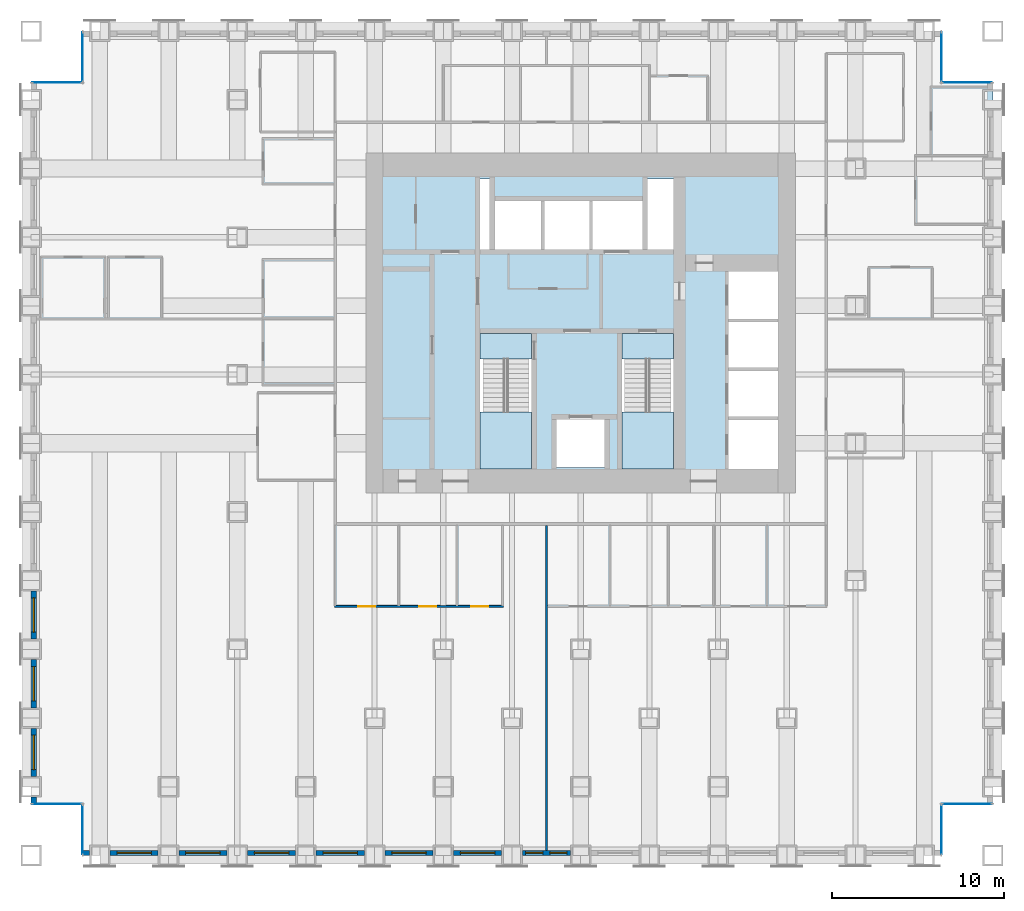
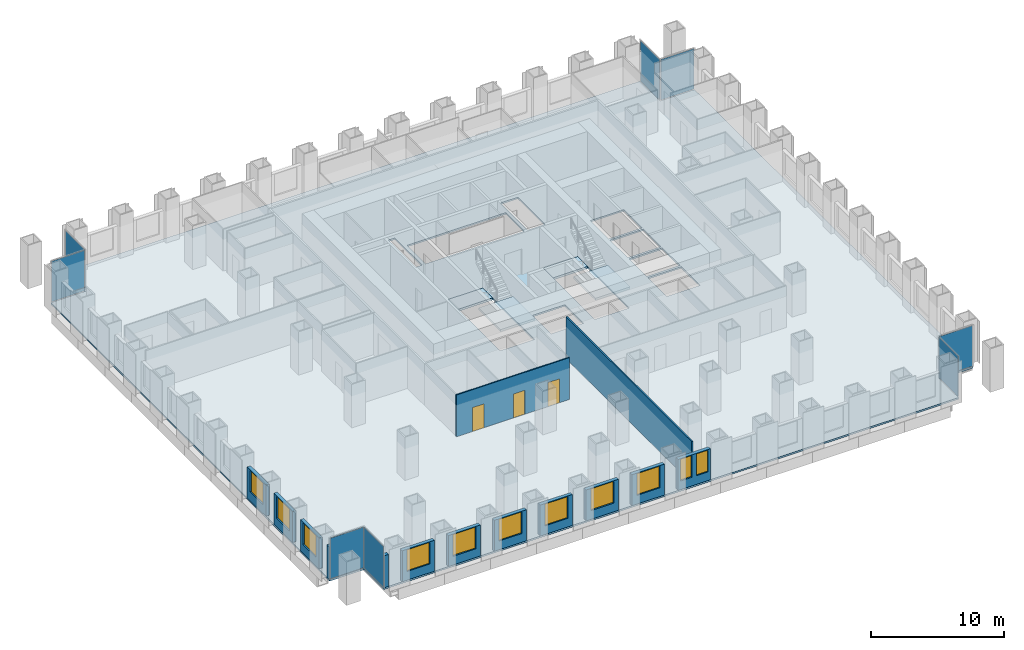
# One storey, part 8 of 15: 14 walls, 11 windows, 8 plates, 5 slabs, 3 doors, 14 openings, 10 elements without a shape of their own.
"""IFC4 building model written with IfcOpenShell, lengths in metres."""

from ifc_helpers import new_model, si_unit, direction, frame, frame_2d, origin, origin_2d, place, context, subcontext, project, spatial, polyline, rectangle, outline, extrude, material, layer, layer_set, type_object, element, fill, aggregate, save


model = new_model("IFC4")

# Units and contexts
model_context = context("Model", 3, precision=1e-05, world=origin(), true_north=direction((0.0, 1.0)))
body_context = subcontext(model_context, "Body", "Model", "MODEL_VIEW")
ifc_project = project(units=[si_unit("LENGTHUNIT", "METRE"), si_unit("AREAUNIT", "SQUARE_METRE"), si_unit("VOLUMEUNIT", "CUBIC_METRE"), si_unit("PLANEANGLEUNIT", "RADIAN"), si_unit("MASSUNIT", "GRAM", prefix="KILO")], contexts=[model_context])

# Site, building, storey
site_placement = place(None, origin())
site = spatial("IfcSite", under=ifc_project, at=site_placement, CompositionType="ELEMENT")
building_placement = place(site_placement, origin())
building = spatial("IfcBuilding", under=site, at=building_placement, Name="Rimbunsela Tower", CompositionType="ELEMENT")
storey_placement = place(building_placement, frame((0.0, 0.0, 23.0)))
storey = spatial("IfcBuildingStorey", under=building, at=storey_placement, Name="L05", CompositionType="ELEMENT", Elevation=23.0)

# Slab
ifc_material_1 = material(Name="Concrete fc' 35 MPa", Category="concrete")
ifc_layer_1 = layer(ifc_material_1, 0.14990234375)
ifc_layer_set_1 = layer_set([ifc_layer_1], Name="Floor slab 150")
slab_type_1 = type_object("IfcSlabType", Name="Floor slab 150", PredefinedType="FLOOR", material=ifc_layer_set_1)
slab_1_placement = place(storey_placement, frame((0.0, 0.0, -0.14990234375)))
element("IfcSlab", 1, at=slab_1_placement, inside=storey, type_object=slab_type_1, Name="Floor slab L05", PredefinedType="FLOOR", context=body_context, shape_type="SweptSolid", body=[
    extrude(outline(polyline([(1.0, -4.0), (51.0, -4.0), (51.0, -1.0), (54.0, -1.0), (54.0, 41.0), (51.0, 41.0), (51.0, 44.0), (1.0, 44.0), (1.0, 41.0), (-2.0, 41.0), (-2.0, -1.0), (1.0, -1.0), (1.0, -4.0)]), holes=[polyline([(27.14990234375, 18.60009765625), (27.14990234375, 26.39990234375), (24.14990234375, 26.39990234375), (24.14990234375, 18.60009765625), (27.14990234375, 18.60009765625)]), polyline([(24.699951171875, 31.300048828125), (24.699951171875, 35.39990234375), (24.14990234375, 35.39990234375), (24.14990234375, 31.300048828125), (24.699951171875, 31.300048828125)]), polyline([(25.0, 34.10009765625), (25.0, 31.300048828125), (33.60009765625, 31.300048828125), (33.60009765625, 34.10009765625), (25.0, 34.10009765625)]), polyline([(31.39990234375, 21.39990234375), (28.60009765625, 21.39990234375), (28.60009765625, 18.60009765625), (31.39990234375, 18.60009765625), (31.39990234375, 21.39990234375)]), polyline([(35.39990234375, 18.60009765625), (35.39990234375, 26.39990234375), (32.39990234375, 26.39990234375), (32.39990234375, 18.60009765625), (35.39990234375, 18.60009765625)]), polyline([(35.39990234375, 31.300048828125), (35.39990234375, 35.39990234375), (33.89990234375, 35.39990234375), (33.89990234375, 31.300048828125), (35.39990234375, 31.300048828125)]), polyline([(41.5, 21.35009765625), (38.60009765625, 21.35009765625), (38.60009765625, 18.5), (41.5, 18.5), (41.5, 21.35009765625)]), polyline([(41.5, 21.550048828125), (41.5, 24.199951171875), (38.60009765625, 24.199951171875), (38.60009765625, 21.550048828125), (41.5, 21.550048828125)]), polyline([(41.5, 27.050048828125), (38.60009765625, 27.050048828125), (38.60009765625, 24.39990234375), (41.5, 24.39990234375), (41.5, 27.050048828125)]), polyline([(41.5, 27.25), (41.5, 30.0), (38.60009765625, 30.0), (38.60009765625, 27.25), (41.5, 27.25)])]), origin(), (0.0, 0.0, 1.0), 0.14990234375),
])

# Curtain wall, plate
ifc_material_2 = material(Name="Aluminium curtain wall", Category="aluminium")
curtain_wall_type = type_object("IfcCurtainWallType", Name="Corner glazing", PredefinedType="USERDEFINED", material=ifc_material_2)
curtain_wall_1_placement = place(storey_placement, origin())
curtain_wall_1 = element("IfcCurtainWall", 2, at=curtain_wall_1_placement, inside=storey, type_object=curtain_wall_type, Name="Corner glazing L05", ObjectType="CORNER GLAZING", PredefinedType="USERDEFINED")
ifc_material_3 = material(Name="Clear double glazing", Category="glass")
ifc_layer_2 = layer(ifc_material_3, 0.028076171875)
ifc_layer_set_2 = layer_set([ifc_layer_2], Name="Glazed panel clear")
plate_type = type_object("IfcPlateType", Name="Glazed panel clear", PredefinedType="CURTAIN_PANEL", material=ifc_layer_set_2)
plate_1_placement = place(storey_placement, frame((51.0, -2.5, 0.06005859375), z_axis=(0.0, 0.0, 1.0), x_axis=(0.0, 1.0, 0.0)))
plate_1 = element("IfcPlate", 3, at=plate_1_placement, type_object=plate_type, Name="CW5 panel 1.1", PredefinedType="CURTAIN_PANEL", context=body_context, shape_type="SweptSolid", body=[
    extrude(rectangle(XDim=2.8798828125, YDim=0.028076171875, at=origin_2d()), origin(), (0.0, 0.0, 1.0), 3.72998046875),
])
aggregate(curtain_wall_1, [plate_1])

curtain_wall_2_placement = place(storey_placement, origin())
curtain_wall_2 = element("IfcCurtainWall", 4, at=curtain_wall_2_placement, inside=storey, type_object=curtain_wall_type, Name="Corner glazing L05", ObjectType="CORNER GLAZING", PredefinedType="USERDEFINED")
plate_2_placement = place(storey_placement, frame((52.5, -1.0, 0.06005859375), z_axis=(0.0, 0.0, 1.0), x_axis=(1.0, 0.0, 0.0)))
plate_2 = element("IfcPlate", 5, at=plate_2_placement, type_object=plate_type, Name="CW5 panel 1.1", PredefinedType="CURTAIN_PANEL", context=body_context, shape_type="SweptSolid", body=[
    extrude(rectangle(XDim=2.8798828125, YDim=0.028076171875, at=origin_2d()), origin(), (0.0, 0.0, 1.0), 3.72998046875),
])
aggregate(curtain_wall_2, [plate_2])

curtain_wall_3_placement = place(storey_placement, origin())
curtain_wall_3 = element("IfcCurtainWall", 6, at=curtain_wall_3_placement, inside=storey, type_object=curtain_wall_type, Name="Corner glazing L05", ObjectType="CORNER GLAZING", PredefinedType="USERDEFINED")
plate_3_placement = place(storey_placement, frame((52.5, 41.0, 0.06005859375), z_axis=(0.0, 0.0, 1.0), x_axis=(-1.0, 0.0, 0.0)))
plate_3 = element("IfcPlate", 7, at=plate_3_placement, type_object=plate_type, Name="CW5 panel 1.1", PredefinedType="CURTAIN_PANEL", context=body_context, shape_type="SweptSolid", body=[
    extrude(rectangle(XDim=2.8798828125, YDim=0.028076171875, at=origin_2d()), origin(), (0.0, 0.0, 1.0), 3.72998046875),
])
aggregate(curtain_wall_3, [plate_3])

curtain_wall_4_placement = place(storey_placement, origin())
curtain_wall_4 = element("IfcCurtainWall", 8, at=curtain_wall_4_placement, inside=storey, type_object=curtain_wall_type, Name="Corner glazing L05", ObjectType="CORNER GLAZING", PredefinedType="USERDEFINED")
plate_4_placement = place(storey_placement, frame((51.0, 42.5, 0.06005859375), z_axis=(0.0, 0.0, 1.0), x_axis=(0.0, 1.0, 0.0)))
plate_4 = element("IfcPlate", 9, at=plate_4_placement, type_object=plate_type, Name="CW5 panel 1.1", PredefinedType="CURTAIN_PANEL", context=body_context, shape_type="SweptSolid", body=[
    extrude(rectangle(XDim=2.8798828125, YDim=0.028076171875, at=origin_2d()), origin(), (0.0, 0.0, 1.0), 3.72998046875),
])
aggregate(curtain_wall_4, [plate_4])

curtain_wall_5_placement = place(storey_placement, origin())
curtain_wall_5 = element("IfcCurtainWall", 10, at=curtain_wall_5_placement, inside=storey, type_object=curtain_wall_type, Name="Corner glazing L05", ObjectType="CORNER GLAZING", PredefinedType="USERDEFINED")
plate_5_placement = place(storey_placement, frame((1.0, 42.5, 0.06005859375), z_axis=(0.0, 0.0, 1.0), x_axis=(0.0, -1.0, 0.0)))
plate_5 = element("IfcPlate", 11, at=plate_5_placement, type_object=plate_type, Name="CW5 panel 1.1", PredefinedType="CURTAIN_PANEL", context=body_context, shape_type="SweptSolid", body=[
    extrude(rectangle(XDim=2.8798828125, YDim=0.028076171875, at=origin_2d()), origin(), (0.0, 0.0, 1.0), 3.72998046875),
])
aggregate(curtain_wall_5, [plate_5])

curtain_wall_6_placement = place(storey_placement, origin())
curtain_wall_6 = element("IfcCurtainWall", 12, at=curtain_wall_6_placement, inside=storey, type_object=curtain_wall_type, Name="Corner glazing L05", ObjectType="CORNER GLAZING", PredefinedType="USERDEFINED")
plate_6_placement = place(storey_placement, frame((-0.5, 41.0, 0.06005859375), z_axis=(0.0, 0.0, 1.0), x_axis=(-1.0, 0.0, 0.0)))
plate_6 = element("IfcPlate", 13, at=plate_6_placement, type_object=plate_type, Name="CW5 panel 1.1", PredefinedType="CURTAIN_PANEL", context=body_context, shape_type="SweptSolid", body=[
    extrude(rectangle(XDim=2.8798828125, YDim=0.028076171875, at=origin_2d()), origin(), (0.0, 0.0, 1.0), 3.72998046875),
])
aggregate(curtain_wall_6, [plate_6])

curtain_wall_7_placement = place(storey_placement, origin())
curtain_wall_7 = element("IfcCurtainWall", 14, at=curtain_wall_7_placement, inside=storey, type_object=curtain_wall_type, Name="Corner glazing L05", ObjectType="CORNER GLAZING", PredefinedType="USERDEFINED")
plate_7_placement = place(storey_placement, frame((-0.5, -1.0, 0.06005859375), z_axis=(0.0, 0.0, 1.0), x_axis=(1.0, 0.0, 0.0)))
plate_7 = element("IfcPlate", 15, at=plate_7_placement, type_object=plate_type, Name="CW5 panel 1.1", PredefinedType="CURTAIN_PANEL", context=body_context, shape_type="SweptSolid", body=[
    extrude(rectangle(XDim=2.8798828125, YDim=0.028076171875, at=origin_2d()), origin(), (0.0, 0.0, 1.0), 3.72998046875),
])
aggregate(curtain_wall_7, [plate_7])

curtain_wall_8_placement = place(storey_placement, origin())
curtain_wall_8 = element("IfcCurtainWall", 16, at=curtain_wall_8_placement, inside=storey, type_object=curtain_wall_type, Name="Corner glazing L05", ObjectType="CORNER GLAZING", PredefinedType="USERDEFINED")
plate_8_placement = place(storey_placement, frame((1.0, -2.5, 0.06005859375), z_axis=(0.0, 0.0, 1.0), x_axis=(0.0, -1.0, 0.0)))
plate_8 = element("IfcPlate", 17, at=plate_8_placement, type_object=plate_type, Name="CW5 panel 1.1", PredefinedType="CURTAIN_PANEL", context=body_context, shape_type="SweptSolid", body=[
    extrude(rectangle(XDim=2.8798828125, YDim=0.028076171875, at=origin_2d()), origin(), (0.0, 0.0, 1.0), 3.72998046875),
])
aggregate(curtain_wall_8, [plate_8])

# Stair, slabs
ifc_material_4 = material(Name="Concrete fc' 35 MPa", Category="concrete")
stair_type = type_object("IfcStairType", Name="Exit stair 24 risers", PredefinedType="HALF_TURN_STAIR", material=ifc_material_4)
stair_1_placement = place(storey_placement, origin())
stair_1 = element("IfcStair", 18, at=stair_1_placement, inside=storey, type_object=stair_type, Name="Exit stair A L05", PredefinedType="HALF_TURN_STAIR")
ifc_material_5 = material(Name="Concrete fc' 35 MPa", Category="concrete")
ifc_layer_3 = layer(ifc_material_5, 0.199951171875)
ifc_layer_set_3 = layer_set([ifc_layer_3], Name="Stair landing 200")
slab_type_2 = type_object("IfcSlabType", Name="Stair landing 200", PredefinedType="LANDING", material=ifc_layer_set_3)
slab_2_placement = place(storey_placement, frame((0.0, 0.0, -0.199951171875)))
slab_2 = element("IfcSlab", 19, at=slab_2_placement, type_object=slab_type_2, Name="ST-A landing 1", PredefinedType="LANDING", context=body_context, shape_type="SweptSolid", body=[
    extrude(outline(polyline([(24.14990234375, 24.89990234375), (27.14990234375, 24.89990234375), (27.14990234375, 26.39990234375), (24.14990234375, 26.39990234375), (24.14990234375, 24.89990234375)])), origin(), (0.0, 0.0, 1.0), 0.199951171875),
])
slab_3_placement = place(storey_placement, frame((0.0, 0.0, 1.800048828125)))
slab_3 = element("IfcSlab", 20, at=slab_3_placement, type_object=slab_type_2, Name="ST-A landing 2", PredefinedType="LANDING", context=body_context, shape_type="SweptSolid", body=[
    extrude(outline(polyline([(24.14990234375, 18.5), (27.14990234375, 18.5), (27.14990234375, 21.820068359375), (24.14990234375, 21.820068359375), (24.14990234375, 18.5)])), origin(), (0.0, 0.0, 1.0), 0.199951171875),
])
aggregate(stair_1, [slab_2, slab_3])

stair_2_placement = place(storey_placement, origin())
stair_2 = element("IfcStair", 21, at=stair_2_placement, inside=storey, type_object=stair_type, Name="Exit stair B L05", PredefinedType="HALF_TURN_STAIR")
slab_4_placement = place(storey_placement, frame((0.0, 0.0, -0.199951171875)))
slab_4 = element("IfcSlab", 22, at=slab_4_placement, type_object=slab_type_2, Name="ST-B landing 1", PredefinedType="LANDING", context=body_context, shape_type="SweptSolid", body=[
    extrude(outline(polyline([(32.39990234375, 24.89990234375), (35.39990234375, 24.89990234375), (35.39990234375, 26.39990234375), (32.39990234375, 26.39990234375), (32.39990234375, 24.89990234375)])), origin(), (0.0, 0.0, 1.0), 0.199951171875),
])
slab_5_placement = place(storey_placement, frame((0.0, 0.0, 1.800048828125)))
slab_5 = element("IfcSlab", 23, at=slab_5_placement, type_object=slab_type_2, Name="ST-B landing 2", PredefinedType="LANDING", context=body_context, shape_type="SweptSolid", body=[
    extrude(outline(polyline([(32.39990234375, 18.5), (35.39990234375, 18.5), (35.39990234375, 21.820068359375), (32.39990234375, 21.820068359375), (32.39990234375, 18.5)])), origin(), (0.0, 0.0, 1.0), 0.199951171875),
])
aggregate(stair_2, [slab_4, slab_5])

# Wall, openings, doors
ifc_material_6 = material(Name="Gypsum board on steel studs", Category="steel")
ifc_layer_4 = layer(ifc_material_6, 0.10009765625)
ifc_layer_set_4 = layer_set([ifc_layer_4], Name="Office partition 100")
wall_type_1 = type_object("IfcWallType", Name="Office partition 100", PredefinedType="PARTITIONING", material=ifc_layer_set_4)
wall_1_placement = place(storey_placement, frame((15.64990234375, 10.5, 0.0), z_axis=(0.0, 0.0, 1.0), x_axis=(1.0, 0.0, 0.0)))
wall_1 = element("IfcWall", 24, at=wall_1_placement, inside=storey, type_object=wall_type_1, Name="Office partition", PredefinedType="PARTITIONING", context=body_context, shape_type="SweptSolid", body=[
    extrude(rectangle(XDim=9.85009765625, YDim=0.10009765625, at=frame_2d((4.925048828125, 0.0))), origin(), (0.0, 0.0, 1.0), 3.85009765625),
])
opening_1_placement = place(wall_1_placement, frame((1.39990234375, 0.0, 0.0)))
opening_1 = element("IfcOpeningElement", 25, at=opening_1_placement, cuts=wall_1, Name="Opening D17", PredefinedType="OPENING", context=body_context, shape_type="SweptSolid", body=[
    extrude(rectangle(XDim=1.0, YDim=2.199951171875, at=frame_2d((0.5, 1.10009765625))), frame((0.0, 0.06005859375, 0.0), z_axis=(0.0, -1.0, 0.0), x_axis=(1.0, 0.0, 0.0)), (0.0, 0.0, 1.0), 0.1201171875),
])
opening_2_placement = place(wall_1_placement, frame((4.949951171875, 0.0, 0.0)))
opening_2 = element("IfcOpeningElement", 26, at=opening_2_placement, cuts=wall_1, Name="Opening D16", PredefinedType="OPENING", context=body_context, shape_type="SweptSolid", body=[
    extrude(rectangle(XDim=1.0, YDim=2.199951171875, at=frame_2d((0.5, 1.10009765625))), frame((0.0, 0.06005859375, 0.0), z_axis=(0.0, -1.0, 0.0), x_axis=(1.0, 0.0, 0.0)), (0.0, 0.0, 1.0), 0.1201171875),
])
opening_3_placement = place(wall_1_placement, frame((7.97509765625, 0.0, 0.0)))
opening_3 = element("IfcOpeningElement", 27, at=opening_3_placement, cuts=wall_1, Name="Opening D16", PredefinedType="OPENING", context=body_context, shape_type="SweptSolid", body=[
    extrude(rectangle(XDim=1.0, YDim=2.199951171875, at=frame_2d((0.5, 1.10009765625))), frame((0.0, 0.06005859375, 0.0), z_axis=(0.0, -1.0, 0.0), x_axis=(1.0, 0.0, 0.0)), (0.0, 0.0, 1.0), 0.1201171875),
])
ifc_material_7 = material(Name="Glazed aluminium door", Category="aluminium")
door_type_1 = type_object("IfcDoorType", Name="Meeting room door 1000 glazed", OperationType="SINGLE_SWING_RIGHT", PredefinedType="DOOR", material=ifc_material_7)
door_1_placement = place(opening_1_placement, origin())
door_1 = element("IfcDoor", 28, at=door_1_placement, inside=storey, type_object=door_type_1, Name="Meeting room door", OperationType="SINGLE_SWING_RIGHT", OverallHeight=2.199951171875, OverallWidth=1.0, PredefinedType="DOOR", context=body_context, shape_type="SweptSolid", body=[
    extrude(rectangle(XDim=1.0, YDim=2.199951171875, at=frame_2d((0.5, 1.10009765625))), frame((0.0, 0.02490234375, 0.0), z_axis=(0.0, -1.0, 0.0), x_axis=(1.0, 0.0, 0.0)), (0.0, 0.0, 1.0), 0.050048828125),
])
fill(opening_1, door_1)
ifc_material_8 = material(Name="Timber door", Category="wood")
door_type_2 = type_object("IfcDoorType", Name="Office door 1000", OperationType="SINGLE_SWING_LEFT", PredefinedType="DOOR", material=ifc_material_8)
door_2_placement = place(opening_2_placement, origin())
door_2 = element("IfcDoor", 29, at=door_2_placement, inside=storey, type_object=door_type_2, Name="Office door", OperationType="SINGLE_SWING_LEFT", OverallHeight=2.199951171875, OverallWidth=1.0, PredefinedType="DOOR", context=body_context, shape_type="SweptSolid", body=[
    extrude(rectangle(XDim=1.0, YDim=2.199951171875, at=frame_2d((0.5, 1.10009765625))), frame((0.0, 0.02490234375, 0.0), z_axis=(0.0, -1.0, 0.0), x_axis=(1.0, 0.0, 0.0)), (0.0, 0.0, 1.0), 0.050048828125),
])
fill(opening_2, door_2)
door_3_placement = place(opening_3_placement, origin())
door_3 = element("IfcDoor", 30, at=door_3_placement, inside=storey, type_object=door_type_2, Name="Office door", OperationType="SINGLE_SWING_LEFT", OverallHeight=2.199951171875, OverallWidth=1.0, PredefinedType="DOOR", context=body_context, shape_type="SweptSolid", body=[
    extrude(rectangle(XDim=1.0, YDim=2.199951171875, at=frame_2d((0.5, 1.10009765625))), frame((0.0, 0.02490234375, 0.0), z_axis=(0.0, -1.0, 0.0), x_axis=(1.0, 0.0, 0.0)), (0.0, 0.0, 1.0), 0.050048828125),
])
fill(opening_3, door_3)

# Wall
ifc_material_9 = material(Name="Precast concrete fc' 35 MPa", Category="concrete")
ifc_layer_5 = layer(ifc_material_9, 0.300048828125)
ifc_layer_set_5 = layer_set([ifc_layer_5], Name="Precast concrete fc' 35 MPa")
wall_type_2 = type_object("IfcWallType", Name="Precast facade panel 300", PredefinedType="ELEMENTEDWALL", material=ifc_layer_set_5)
wall_2_placement = place(storey_placement, frame((1.030029296875, -3.85009765625, 0.0), z_axis=(0.0, 0.0, 1.0), x_axis=(1.0, 0.0, 0.0)))
element("IfcWall", 31, at=wall_2_placement, inside=storey, type_object=wall_type_2, Name="Facade panel S L05", PredefinedType="ELEMENTEDWALL", context=body_context, shape_type="SweptSolid", body=[
    extrude(rectangle(XDim=0.369873046875, YDim=0.300048828125, at=frame_2d((0.18505859375, 0.0))), origin(), (0.0, 0.0, 1.0), 2.949951171875),
])

# Wall, opening, window
wall_3_placement = place(storey_placement, frame((2.60009765625, -3.85009765625, 0.0), z_axis=(0.0, 0.0, 1.0), x_axis=(1.0, 0.0, 0.0)))
wall_3 = element("IfcWall", 32, at=wall_3_placement, inside=storey, type_object=wall_type_2, Name="Facade panel S L05", PredefinedType="ELEMENTEDWALL", context=body_context, shape_type="SweptSolid", body=[
    extrude(rectangle(XDim=2.7998046875, YDim=0.300048828125, at=frame_2d((1.39990234375, 0.0))), origin(), (0.0, 0.0, 1.0), 2.85009765625),
])
opening_4_placement = place(wall_3_placement, frame((0.39990234375, 0.0, 0.800048828125)))
opening_4 = element("IfcOpeningElement", 33, at=opening_4_placement, cuts=wall_3, Name="Opening W1", PredefinedType="OPENING", context=body_context, shape_type="SweptSolid", body=[
    extrude(rectangle(XDim=2.0, YDim=2.0, at=frame_2d((1.0, 1.0))), frame((0.0, 0.159912109375, 0.0), z_axis=(0.0, -1.0, 0.0), x_axis=(1.0, 0.0, 0.0)), (0.0, 0.0, 1.0), 0.320068359375),
])
ifc_material_10 = material(Name="Clear glass in aluminium frame", Category="aluminium")
window_type_1 = type_object("IfcWindowType", Name="Window W1 2000x2000", PartitioningType="DOUBLE_PANEL_VERTICAL", PredefinedType="WINDOW", material=ifc_material_10)
window_1_placement = place(opening_4_placement, origin())
window_1 = element("IfcWindow", 34, at=window_1_placement, inside=storey, type_object=window_type_1, Name="Window L05", OverallHeight=2.0, OverallWidth=2.0, PartitioningType="SINGLE_PANEL", PredefinedType="WINDOW", context=body_context, shape_type="SweptSolid", body=[
    extrude(rectangle(XDim=2.0, YDim=2.0, at=frame_2d((1.0, 1.0))), frame((0.0, 0.030029296875, 0.0), z_axis=(0.0, -1.0, 0.0), x_axis=(1.0, 0.0, 0.0)), (0.0, 0.0, 1.0), 0.06005859375),
])
fill(opening_4, window_1)

wall_4_placement = place(storey_placement, frame((6.60009765625, -3.85009765625, 0.0), z_axis=(0.0, 0.0, 1.0), x_axis=(1.0, 0.0, 0.0)))
wall_4 = element("IfcWall", 35, at=wall_4_placement, inside=storey, type_object=wall_type_2, Name="Facade panel S L05", PredefinedType="ELEMENTEDWALL", context=body_context, shape_type="SweptSolid", body=[
    extrude(rectangle(XDim=2.7998046875, YDim=0.300048828125, at=frame_2d((1.39990234375, 0.0))), origin(), (0.0, 0.0, 1.0), 2.85009765625),
])
opening_5_placement = place(wall_4_placement, frame((0.39990234375, 0.0, 0.800048828125)))
opening_5 = element("IfcOpeningElement", 36, at=opening_5_placement, cuts=wall_4, Name="Opening W1", PredefinedType="OPENING", context=body_context, shape_type="SweptSolid", body=[
    extrude(rectangle(XDim=2.0, YDim=2.0, at=frame_2d((1.0, 1.0))), frame((0.0, 0.159912109375, 0.0), z_axis=(0.0, -1.0, 0.0), x_axis=(1.0, 0.0, 0.0)), (0.0, 0.0, 1.0), 0.320068359375),
])
window_2_placement = place(opening_5_placement, origin())
window_2 = element("IfcWindow", 37, at=window_2_placement, inside=storey, type_object=window_type_1, Name="Window L05", OverallHeight=2.0, OverallWidth=2.0, PartitioningType="SINGLE_PANEL", PredefinedType="WINDOW", context=body_context, shape_type="SweptSolid", body=[
    extrude(rectangle(XDim=2.0, YDim=2.0, at=frame_2d((1.0, 1.0))), frame((0.0, 0.030029296875, 0.0), z_axis=(0.0, -1.0, 0.0), x_axis=(1.0, 0.0, 0.0)), (0.0, 0.0, 1.0), 0.06005859375),
])
fill(opening_5, window_2)

wall_5_placement = place(storey_placement, frame((10.60009765625, -3.85009765625, 0.0), z_axis=(0.0, 0.0, 1.0), x_axis=(1.0, 0.0, 0.0)))
wall_5 = element("IfcWall", 38, at=wall_5_placement, inside=storey, type_object=wall_type_2, Name="Facade panel S L05", PredefinedType="ELEMENTEDWALL", context=body_context, shape_type="SweptSolid", body=[
    extrude(rectangle(XDim=2.7998046875, YDim=0.300048828125, at=frame_2d((1.39990234375, 0.0))), origin(), (0.0, 0.0, 1.0), 2.85009765625),
])
opening_6_placement = place(wall_5_placement, frame((0.39990234375, 0.0, 0.800048828125)))
opening_6 = element("IfcOpeningElement", 39, at=opening_6_placement, cuts=wall_5, Name="Opening W1", PredefinedType="OPENING", context=body_context, shape_type="SweptSolid", body=[
    extrude(rectangle(XDim=2.0, YDim=2.0, at=frame_2d((1.0, 1.0))), frame((0.0, 0.159912109375, 0.0), z_axis=(0.0, -1.0, 0.0), x_axis=(1.0, 0.0, 0.0)), (0.0, 0.0, 1.0), 0.320068359375),
])
window_3_placement = place(opening_6_placement, origin())
window_3 = element("IfcWindow", 40, at=window_3_placement, inside=storey, type_object=window_type_1, Name="Window L05", OverallHeight=2.0, OverallWidth=2.0, PartitioningType="SINGLE_PANEL", PredefinedType="WINDOW", context=body_context, shape_type="SweptSolid", body=[
    extrude(rectangle(XDim=2.0, YDim=2.0, at=frame_2d((1.0, 1.0))), frame((0.0, 0.030029296875, 0.0), z_axis=(0.0, -1.0, 0.0), x_axis=(1.0, 0.0, 0.0)), (0.0, 0.0, 1.0), 0.06005859375),
])
fill(opening_6, window_3)

wall_6_placement = place(storey_placement, frame((14.60009765625, -3.85009765625, 0.0), z_axis=(0.0, 0.0, 1.0), x_axis=(1.0, 0.0, 0.0)))
wall_6 = element("IfcWall", 41, at=wall_6_placement, inside=storey, type_object=wall_type_2, Name="Facade panel S L05", PredefinedType="ELEMENTEDWALL", context=body_context, shape_type="SweptSolid", body=[
    extrude(rectangle(XDim=2.7998046875, YDim=0.300048828125, at=frame_2d((1.39990234375, 0.0))), origin(), (0.0, 0.0, 1.0), 2.85009765625),
])
opening_7_placement = place(wall_6_placement, frame((0.39990234375, 0.0, 0.800048828125)))
opening_7 = element("IfcOpeningElement", 42, at=opening_7_placement, cuts=wall_6, Name="Opening W1", PredefinedType="OPENING", context=body_context, shape_type="SweptSolid", body=[
    extrude(rectangle(XDim=2.0, YDim=2.0, at=frame_2d((1.0, 1.0))), frame((0.0, 0.159912109375, 0.0), z_axis=(0.0, -1.0, 0.0), x_axis=(1.0, 0.0, 0.0)), (0.0, 0.0, 1.0), 0.320068359375),
])
window_4_placement = place(opening_7_placement, origin())
window_4 = element("IfcWindow", 43, at=window_4_placement, inside=storey, type_object=window_type_1, Name="Window L05", OverallHeight=2.0, OverallWidth=2.0, PartitioningType="SINGLE_PANEL", PredefinedType="WINDOW", context=body_context, shape_type="SweptSolid", body=[
    extrude(rectangle(XDim=2.0, YDim=2.0, at=frame_2d((1.0, 1.0))), frame((0.0, 0.030029296875, 0.0), z_axis=(0.0, -1.0, 0.0), x_axis=(1.0, 0.0, 0.0)), (0.0, 0.0, 1.0), 0.06005859375),
])
fill(opening_7, window_4)

wall_7_placement = place(storey_placement, frame((18.60009765625, -3.85009765625, 0.0), z_axis=(0.0, 0.0, 1.0), x_axis=(1.0, 0.0, 0.0)))
wall_7 = element("IfcWall", 44, at=wall_7_placement, inside=storey, type_object=wall_type_2, Name="Facade panel S L05", PredefinedType="ELEMENTEDWALL", context=body_context, shape_type="SweptSolid", body=[
    extrude(rectangle(XDim=2.7998046875, YDim=0.300048828125, at=frame_2d((1.39990234375, 0.0))), origin(), (0.0, 0.0, 1.0), 2.85009765625),
])
opening_8_placement = place(wall_7_placement, frame((0.39990234375, 0.0, 0.800048828125)))
opening_8 = element("IfcOpeningElement", 45, at=opening_8_placement, cuts=wall_7, Name="Opening W1", PredefinedType="OPENING", context=body_context, shape_type="SweptSolid", body=[
    extrude(rectangle(XDim=2.0, YDim=2.0, at=frame_2d((1.0, 1.0))), frame((0.0, 0.159912109375, 0.0), z_axis=(0.0, -1.0, 0.0), x_axis=(1.0, 0.0, 0.0)), (0.0, 0.0, 1.0), 0.320068359375),
])
window_5_placement = place(opening_8_placement, origin())
window_5 = element("IfcWindow", 46, at=window_5_placement, inside=storey, type_object=window_type_1, Name="Window L05", OverallHeight=2.0, OverallWidth=2.0, PartitioningType="SINGLE_PANEL", PredefinedType="WINDOW", context=body_context, shape_type="SweptSolid", body=[
    extrude(rectangle(XDim=2.0, YDim=2.0, at=frame_2d((1.0, 1.0))), frame((0.0, 0.030029296875, 0.0), z_axis=(0.0, -1.0, 0.0), x_axis=(1.0, 0.0, 0.0)), (0.0, 0.0, 1.0), 0.06005859375),
])
fill(opening_8, window_5)

wall_8_placement = place(storey_placement, frame((22.60009765625, -3.85009765625, 0.0), z_axis=(0.0, 0.0, 1.0), x_axis=(1.0, 0.0, 0.0)))
wall_8 = element("IfcWall", 47, at=wall_8_placement, inside=storey, type_object=wall_type_2, Name="Facade panel S L05", PredefinedType="ELEMENTEDWALL", context=body_context, shape_type="SweptSolid", body=[
    extrude(rectangle(XDim=2.7998046875, YDim=0.300048828125, at=frame_2d((1.39990234375, 0.0))), origin(), (0.0, 0.0, 1.0), 2.85009765625),
])
opening_9_placement = place(wall_8_placement, frame((0.39990234375, 0.0, 0.800048828125)))
opening_9 = element("IfcOpeningElement", 48, at=opening_9_placement, cuts=wall_8, Name="Opening W1", PredefinedType="OPENING", context=body_context, shape_type="SweptSolid", body=[
    extrude(rectangle(XDim=2.0, YDim=2.0, at=frame_2d((1.0, 1.0))), frame((0.0, 0.159912109375, 0.0), z_axis=(0.0, -1.0, 0.0), x_axis=(1.0, 0.0, 0.0)), (0.0, 0.0, 1.0), 0.320068359375),
])
window_6_placement = place(opening_9_placement, origin())
window_6 = element("IfcWindow", 49, at=window_6_placement, inside=storey, type_object=window_type_1, Name="Window L05", OverallHeight=2.0, OverallWidth=2.0, PartitioningType="SINGLE_PANEL", PredefinedType="WINDOW", context=body_context, shape_type="SweptSolid", body=[
    extrude(rectangle(XDim=2.0, YDim=2.0, at=frame_2d((1.0, 1.0))), frame((0.0, 0.030029296875, 0.0), z_axis=(0.0, -1.0, 0.0), x_axis=(1.0, 0.0, 0.0)), (0.0, 0.0, 1.0), 0.06005859375),
])
fill(opening_9, window_6)

# Wall, openings, windows
wall_9_placement = place(storey_placement, frame((26.60009765625, -3.85009765625, 0.0), z_axis=(0.0, 0.0, 1.0), x_axis=(1.0, 0.0, 0.0)))
wall_9 = element("IfcWall", 50, at=wall_9_placement, inside=storey, type_object=wall_type_2, Name="Facade panel S L05", PredefinedType="ELEMENTEDWALL", context=body_context, shape_type="SweptSolid", body=[
    extrude(rectangle(XDim=2.7998046875, YDim=0.300048828125, at=frame_2d((1.39990234375, 0.0))), origin(), (0.0, 0.0, 1.0), 2.85009765625),
])
opening_10_placement = place(wall_9_placement, frame((0.199951171875, 0.0, 0.800048828125)))
opening_10 = element("IfcOpeningElement", 51, at=opening_10_placement, cuts=wall_9, Name="Opening W5", PredefinedType="OPENING", context=body_context, shape_type="SweptSolid", body=[
    extrude(rectangle(XDim=1.0, YDim=2.0, at=frame_2d((0.5, 1.0))), frame((0.0, 0.159912109375, 0.0), z_axis=(0.0, -1.0, 0.0), x_axis=(1.0, 0.0, 0.0)), (0.0, 0.0, 1.0), 0.320068359375),
])
opening_11_placement = place(wall_9_placement, frame((1.60009765625, 0.0, 0.800048828125)))
opening_11 = element("IfcOpeningElement", 52, at=opening_11_placement, cuts=wall_9, Name="Opening W5", PredefinedType="OPENING", context=body_context, shape_type="SweptSolid", body=[
    extrude(rectangle(XDim=1.0, YDim=2.0, at=frame_2d((0.5, 1.0))), frame((0.0, 0.159912109375, 0.0), z_axis=(0.0, -1.0, 0.0), x_axis=(1.0, 0.0, 0.0)), (0.0, 0.0, 1.0), 0.320068359375),
])
ifc_material_11 = material(Name="Clear glass in aluminium frame", Category="aluminium")
window_type_2 = type_object("IfcWindowType", Name="Window W5 1000x2000", PartitioningType="SINGLE_PANEL", PredefinedType="WINDOW", material=ifc_material_11)
window_7_placement = place(opening_10_placement, origin())
window_7 = element("IfcWindow", 53, at=window_7_placement, inside=storey, type_object=window_type_2, Name="Window L05", OverallHeight=2.0, OverallWidth=1.0, PartitioningType="SINGLE_PANEL", PredefinedType="WINDOW", context=body_context, shape_type="SweptSolid", body=[
    extrude(rectangle(XDim=1.0, YDim=2.0, at=frame_2d((0.5, 1.0))), frame((0.0, 0.030029296875, 0.0), z_axis=(0.0, -1.0, 0.0), x_axis=(1.0, 0.0, 0.0)), (0.0, 0.0, 1.0), 0.06005859375),
])
fill(opening_10, window_7)
window_8_placement = place(opening_11_placement, origin())
window_8 = element("IfcWindow", 54, at=window_8_placement, inside=storey, type_object=window_type_2, Name="Window L05", OverallHeight=2.0, OverallWidth=1.0, PartitioningType="SINGLE_PANEL", PredefinedType="WINDOW", context=body_context, shape_type="SweptSolid", body=[
    extrude(rectangle(XDim=1.0, YDim=2.0, at=frame_2d((0.5, 1.0))), frame((0.0, 0.030029296875, 0.0), z_axis=(0.0, -1.0, 0.0), x_axis=(1.0, 0.0, 0.0)), (0.0, 0.0, 1.0), 0.06005859375),
])
fill(opening_11, window_8)

# Wall
wall_10_placement = place(storey_placement, frame((-1.85009765625, -0.60009765625, 0.0), z_axis=(0.0, 0.0, 1.0), x_axis=(0.0, -1.0, 0.0)))
element("IfcWall", 55, at=wall_10_placement, inside=storey, type_object=wall_type_2, Name="Facade panel W L05", PredefinedType="ELEMENTEDWALL", context=body_context, shape_type="SweptSolid", body=[
    extrude(rectangle(XDim=0.369873046875, YDim=0.300048828125, at=frame_2d((0.18505859375, 0.0))), origin(), (0.0, 0.0, 1.0), 2.949951171875),
])

# Wall, opening, window
wall_11_placement = place(storey_placement, frame((-1.85009765625, 3.39990234375, 0.0), z_axis=(0.0, 0.0, 1.0), x_axis=(0.0, -1.0, 0.0)))
wall_11 = element("IfcWall", 56, at=wall_11_placement, inside=storey, type_object=wall_type_2, Name="Facade panel W L05", PredefinedType="ELEMENTEDWALL", context=body_context, shape_type="SweptSolid", body=[
    extrude(rectangle(XDim=2.7998046875, YDim=0.300048828125, at=frame_2d((1.39990234375, 0.0))), origin(), (0.0, 0.0, 1.0), 2.85009765625),
])
opening_12_placement = place(wall_11_placement, frame((0.39990234375, 0.0, 0.800048828125)))
opening_12 = element("IfcOpeningElement", 57, at=opening_12_placement, cuts=wall_11, Name="Opening W1", PredefinedType="OPENING", context=body_context, shape_type="SweptSolid", body=[
    extrude(rectangle(XDim=2.0, YDim=2.0, at=frame_2d((1.0, 1.0))), frame((0.0, 0.159912109375, 0.0), z_axis=(0.0, -1.0, 0.0), x_axis=(1.0, 0.0, 0.0)), (0.0, 0.0, 1.0), 0.320068359375),
])
window_9_placement = place(opening_12_placement, origin())
window_9 = element("IfcWindow", 58, at=window_9_placement, inside=storey, type_object=window_type_1, Name="Window L05", OverallHeight=2.0, OverallWidth=2.0, PartitioningType="SINGLE_PANEL", PredefinedType="WINDOW", context=body_context, shape_type="SweptSolid", body=[
    extrude(rectangle(XDim=2.0, YDim=2.0, at=frame_2d((1.0, 1.0))), frame((0.0, 0.030029296875, 0.0), z_axis=(0.0, -1.0, 0.0), x_axis=(1.0, 0.0, 0.0)), (0.0, 0.0, 1.0), 0.06005859375),
])
fill(opening_12, window_9)

wall_12_placement = place(storey_placement, frame((-1.85009765625, 7.39990234375, 0.0), z_axis=(0.0, 0.0, 1.0), x_axis=(0.0, -1.0, 0.0)))
wall_12 = element("IfcWall", 59, at=wall_12_placement, inside=storey, type_object=wall_type_2, Name="Facade panel W L05", PredefinedType="ELEMENTEDWALL", context=body_context, shape_type="SweptSolid", body=[
    extrude(rectangle(XDim=2.7998046875, YDim=0.300048828125, at=frame_2d((1.39990234375, 0.0))), origin(), (0.0, 0.0, 1.0), 2.85009765625),
])
opening_13_placement = place(wall_12_placement, frame((0.39990234375, 0.0, 0.800048828125)))
opening_13 = element("IfcOpeningElement", 60, at=opening_13_placement, cuts=wall_12, Name="Opening W1", PredefinedType="OPENING", context=body_context, shape_type="SweptSolid", body=[
    extrude(rectangle(XDim=2.0, YDim=2.0, at=frame_2d((1.0, 1.0))), frame((0.0, 0.159912109375, 0.0), z_axis=(0.0, -1.0, 0.0), x_axis=(1.0, 0.0, 0.0)), (0.0, 0.0, 1.0), 0.320068359375),
])
window_10_placement = place(opening_13_placement, origin())
window_10 = element("IfcWindow", 61, at=window_10_placement, inside=storey, type_object=window_type_1, Name="Window L05", OverallHeight=2.0, OverallWidth=2.0, PartitioningType="SINGLE_PANEL", PredefinedType="WINDOW", context=body_context, shape_type="SweptSolid", body=[
    extrude(rectangle(XDim=2.0, YDim=2.0, at=frame_2d((1.0, 1.0))), frame((0.0, 0.030029296875, 0.0), z_axis=(0.0, -1.0, 0.0), x_axis=(1.0, 0.0, 0.0)), (0.0, 0.0, 1.0), 0.06005859375),
])
fill(opening_13, window_10)

wall_13_placement = place(storey_placement, frame((-1.85009765625, 11.39990234375, 0.0), z_axis=(0.0, 0.0, 1.0), x_axis=(0.0, -1.0, 0.0)))
wall_13 = element("IfcWall", 62, at=wall_13_placement, inside=storey, type_object=wall_type_2, Name="Facade panel W L05", PredefinedType="ELEMENTEDWALL", context=body_context, shape_type="SweptSolid", body=[
    extrude(rectangle(XDim=2.7998046875, YDim=0.300048828125, at=frame_2d((1.39990234375, 0.0))), origin(), (0.0, 0.0, 1.0), 2.85009765625),
])
opening_14_placement = place(wall_13_placement, frame((0.39990234375, 0.0, 0.800048828125)))
opening_14 = element("IfcOpeningElement", 63, at=opening_14_placement, cuts=wall_13, Name="Opening W1", PredefinedType="OPENING", context=body_context, shape_type="SweptSolid", body=[
    extrude(rectangle(XDim=2.0, YDim=2.0, at=frame_2d((1.0, 1.0))), frame((0.0, 0.159912109375, 0.0), z_axis=(0.0, -1.0, 0.0), x_axis=(1.0, 0.0, 0.0)), (0.0, 0.0, 1.0), 0.320068359375),
])
window_11_placement = place(opening_14_placement, origin())
window_11 = element("IfcWindow", 64, at=window_11_placement, inside=storey, type_object=window_type_1, Name="Window L05", OverallHeight=2.0, OverallWidth=2.0, PartitioningType="SINGLE_PANEL", PredefinedType="WINDOW", context=body_context, shape_type="SweptSolid", body=[
    extrude(rectangle(XDim=2.0, YDim=2.0, at=frame_2d((1.0, 1.0))), frame((0.0, 0.030029296875, 0.0), z_axis=(0.0, -1.0, 0.0), x_axis=(1.0, 0.0, 0.0)), (0.0, 0.0, 1.0), 0.06005859375),
])
fill(opening_14, window_11)

# Wall
ifc_material_12 = material(Name="Gypsum board on steel studs", Category="steel")
ifc_layer_6 = layer(ifc_material_12, 0.1201171875)
ifc_layer_set_6 = layer_set([ifc_layer_6], Name="Tenancy partition 120")
wall_type_3 = type_object("IfcWallType", Name="Tenancy partition 120", PredefinedType="PARTITIONING", material=ifc_layer_set_6)
wall_14_placement = place(storey_placement, frame((28.0, -3.699951171875, 0.0), z_axis=(0.0, 0.0, 1.0), x_axis=(0.0, 1.0, 0.0)))
element("IfcWall", 65, at=wall_14_placement, inside=storey, type_object=wall_type_3, Name="Tenancy partition south", PredefinedType="PARTITIONING", context=body_context, shape_type="SweptSolid", body=[
    extrude(rectangle(XDim=18.925048828125, YDim=0.1201171875, at=frame_2d((9.46240234375, 0.0))), origin(), (0.0, 0.0, 1.0), 3.85009765625),
])

save(model, "model.ifc")
